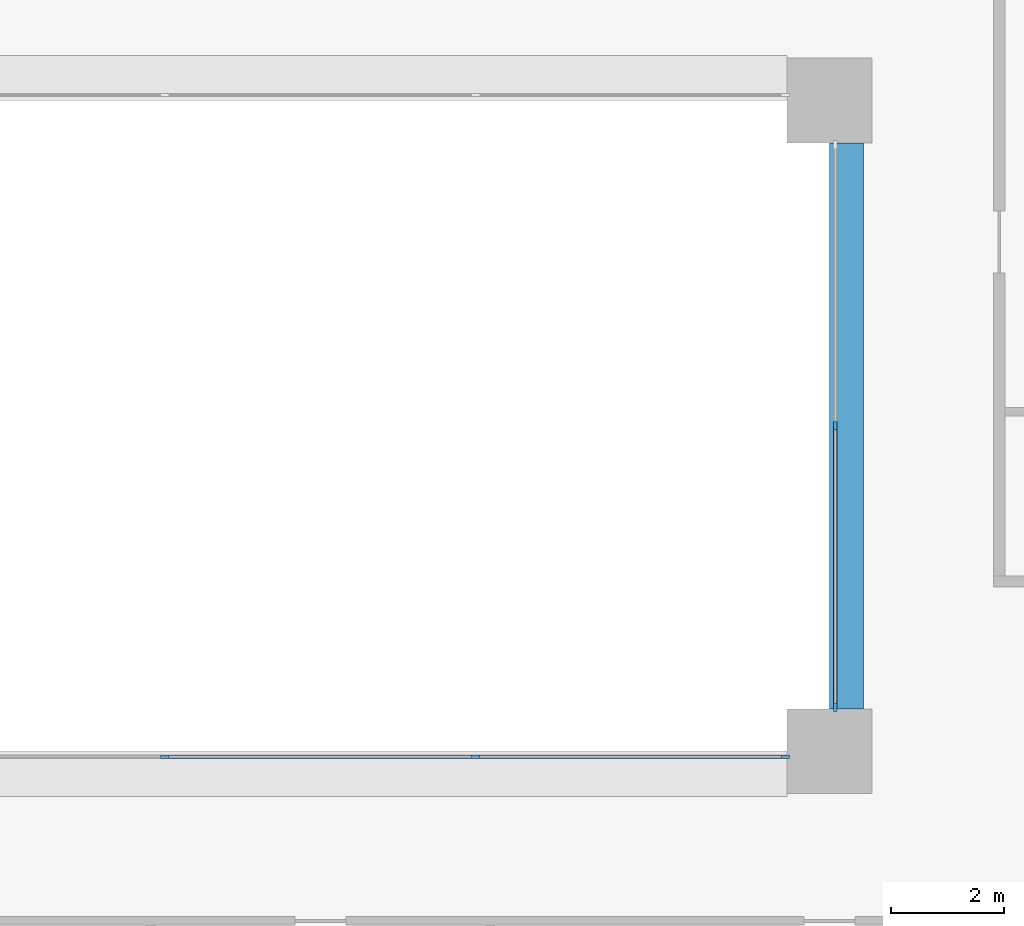
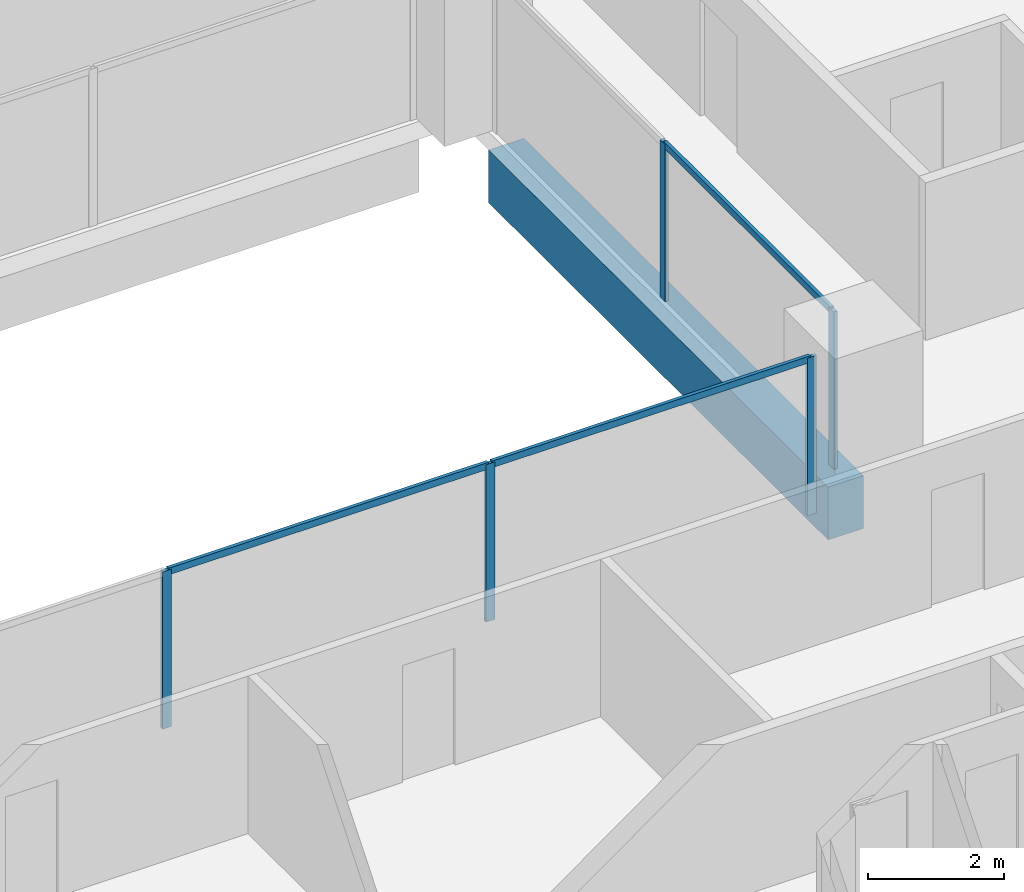
# One storey, part 4 of 20: 8 members, 1 beam, 2 elements without a shape of their own.
"""IFC4 building model written with IfcOpenShell, lengths in metres."""

from ifc_helpers import new_model, si_unit, direction, frame, origin, origin_2d, place, context, subcontext, project, spatial, rectangle, extrude, material, layer, layer_set, material_profile, profile_set, type_object, element, aggregate, save


model = new_model("IFC4")

# Units and contexts
model_context = context("Model", 3, precision=1e-05, world=origin(), true_north=direction((0.0, 1.0)))
body_context = subcontext(model_context, "Body", "Model", "MODEL_VIEW")
ifc_project = project(units=[si_unit("LENGTHUNIT", "METRE"), si_unit("AREAUNIT", "SQUARE_METRE"), si_unit("VOLUMEUNIT", "CUBIC_METRE"), si_unit("PLANEANGLEUNIT", "RADIAN"), si_unit("MASSUNIT", "GRAM", prefix="KILO")], contexts=[model_context])

# Site, building, storey
site_placement = place(None, origin())
site = spatial("IfcSite", under=ifc_project, at=site_placement, CompositionType="ELEMENT")
building_placement = place(site_placement, origin())
building = spatial("IfcBuilding", under=site, at=building_placement, Name="Brigalow Station Residences", CompositionType="ELEMENT")
storey_placement = place(building_placement, frame((0.0, 0.0, 54.14990234375)))
storey = spatial("IfcBuildingStorey", under=building, at=storey_placement, Name="L15", CompositionType="ELEMENT", Elevation=54.14990234375)

# Beam
ifc_material_1 = material(Name="Concrete C65", Category="concrete")
ifc_material_profile_1 = material_profile(ifc_material_1, rectangle(XDim=0.60009765625, YDim=0.949951171875, at=origin_2d()), Name="RC600x950")
ifc_profile_set_1 = profile_set([ifc_material_profile_1], Name="Concrete C65")
beam_type = type_object("IfcBeamType", Name="ATRIUM EDGE GIRDER 600x950 C65", PredefinedType="BEAM", material=ifc_profile_set_1)
beam_placement = place(storey_placement, frame((45.300048828125, 24.75, -0.794921875), z_axis=(0.0, 1.0, 0.0), x_axis=(-1.0, 0.0, 0.0)))
element("IfcBeam", 1, at=beam_placement, inside=storey, type_object=beam_type, Name="ATRIUM EDGE GIRDER 5 L15", PredefinedType="BEAM", context=body_context, shape_type="SweptSolid", body=[
    extrude(rectangle(XDim=0.60009765625, YDim=0.949951171875, at=origin_2d()), origin(), (0.0, 0.0, 1.0), 10.0),
])

# Curtain wall, members
ifc_material_2 = material(Name="Aluminium", Category="aluminium")
ifc_layer = layer(ifc_material_2, 0.14990234375)
ifc_layer_set = layer_set([ifc_layer], Name="ATRIUM FIRE-RATED GLAZING CURTAIN WALL")
curtain_wall_type = type_object("IfcCurtainWallType", Name="ATRIUM FIRE-RATED GLAZING CURTAIN WALL", PredefinedType="NOTDEFINED", material=ifc_layer_set)
curtain_wall_1_placement = place(storey_placement, origin())
curtain_wall_1 = element("IfcCurtainWall", 2, at=curtain_wall_1_placement, inside=storey, type_object=curtain_wall_type, Name="L15/cw/atrium-S", PredefinedType="NOTDEFINED")
ifc_material_3 = material(Name="Aluminium", Category="aluminium")
ifc_material_profile_2 = material_profile(ifc_material_3, rectangle(XDim=0.06005859375, YDim=0.14990234375, at=origin_2d()), Name="ATRIUM FIRE-RATED GLAZING MULLION 60x150")
ifc_profile_set_2 = profile_set([ifc_material_profile_2], Name="Aluminium")
member_type_1 = type_object("IfcMemberType", Name="ATRIUM FIRE-RATED GLAZING MULLION 60x150", PredefinedType="MULLION", material=ifc_profile_set_2)
member_1_placement = place(storey_placement, frame((33.25, 23.89990234375, 0.0), z_axis=(0.0, 0.0, 1.0), x_axis=(0.0, 1.0, 0.0)))
member_1 = element("IfcMember", 3, at=member_1_placement, type_object=member_type_1, Name="L15/cw/atrium-S/M01", PredefinedType="MULLION", context=body_context, shape_type="SweptSolid", body=[
    extrude(rectangle(XDim=0.06005859375, YDim=0.14990234375, at=origin_2d()), origin(), (0.0, 0.0, 1.0), 2.830078125),
])
member_2_placement = place(storey_placement, frame((38.75, 23.89990234375, 0.0), z_axis=(0.0, 0.0, 1.0), x_axis=(0.0, 1.0, 0.0)))
member_2 = element("IfcMember", 4, at=member_2_placement, type_object=member_type_1, Name="L15/cw/atrium-S/M02", PredefinedType="MULLION", context=body_context, shape_type="SweptSolid", body=[
    extrude(rectangle(XDim=0.06005859375, YDim=0.14990234375, at=origin_2d()), origin(), (0.0, 0.0, 1.0), 2.830078125),
])
member_3_placement = place(storey_placement, frame((44.219970703125, 23.89990234375, 0.0), z_axis=(0.0, 0.0, 1.0), x_axis=(0.0, 1.0, 0.0)))
member_3 = element("IfcMember", 5, at=member_3_placement, type_object=member_type_1, Name="L15/cw/atrium-S/M03", PredefinedType="MULLION", context=body_context, shape_type="SweptSolid", body=[
    extrude(rectangle(XDim=0.06005859375, YDim=0.14990234375, at=origin_2d()), origin(), (0.0, 0.0, 1.0), 2.830078125),
])

curtain_wall_2_placement = place(storey_placement, origin())
curtain_wall_2 = element("IfcCurtainWall", 6, at=curtain_wall_2_placement, inside=storey, type_object=curtain_wall_type, Name="L15/cw/atrium-E", PredefinedType="NOTDEFINED")
member_4_placement = place(storey_placement, frame((45.10009765625, 24.780029296875, 0.0), z_axis=(0.0, 0.0, 1.0), x_axis=(-1.0, 0.0, 0.0)))
member_4 = element("IfcMember", 7, at=member_4_placement, type_object=member_type_1, Name="L15/cw/atrium-E/M00", PredefinedType="MULLION", context=body_context, shape_type="SweptSolid", body=[
    extrude(rectangle(XDim=0.06005859375, YDim=0.14990234375, at=origin_2d()), origin(), (0.0, 0.0, 1.0), 2.830078125),
])
member_5_placement = place(storey_placement, frame((45.10009765625, 29.75, 0.0), z_axis=(0.0, 0.0, 1.0), x_axis=(-1.0, 0.0, 0.0)))
member_5 = element("IfcMember", 8, at=member_5_placement, type_object=member_type_1, Name="L15/cw/atrium-E/M01", PredefinedType="MULLION", context=body_context, shape_type="SweptSolid", body=[
    extrude(rectangle(XDim=0.06005859375, YDim=0.14990234375, at=origin_2d()), origin(), (0.0, 0.0, 1.0), 2.830078125),
])

# Member
ifc_material_4 = material(Name="Aluminium", Category="aluminium")
ifc_material_profile_3 = material_profile(ifc_material_4, rectangle(XDim=0.06005859375, YDim=0.1201171875, at=origin_2d()), Name="ATRIUM FIRE-RATED GLAZING TRANSOM 60x120")
ifc_profile_set_3 = profile_set([ifc_material_profile_3], Name="Aluminium")
member_type_2 = type_object("IfcMemberType", Name="ATRIUM FIRE-RATED GLAZING TRANSOM 60x120", PredefinedType="USERDEFINED", material=ifc_profile_set_3)
member_6_placement = place(storey_placement, frame((33.280029296875, 23.89990234375, 2.800048828125), z_axis=(1.0, 0.0, 0.0), x_axis=(0.0, 1.0, 0.0)))
member_6 = element("IfcMember", 9, at=member_6_placement, type_object=member_type_2, Name="L15/cw/atrium-S/T01-00", ObjectType="TRANSOM", PredefinedType="USERDEFINED", context=body_context, shape_type="SweptSolid", body=[
    extrude(rectangle(XDim=0.06005859375, YDim=0.1201171875, at=origin_2d()), origin(), (0.0, 0.0, 1.0), 5.43994140625),
])

member_7_placement = place(storey_placement, frame((38.780029296875, 23.89990234375, 2.800048828125), z_axis=(1.0, 0.0, 0.0), x_axis=(0.0, 1.0, 0.0)))
member_7 = element("IfcMember", 10, at=member_7_placement, type_object=member_type_2, Name="L15/cw/atrium-S/T02-00", ObjectType="TRANSOM", PredefinedType="USERDEFINED", context=body_context, shape_type="SweptSolid", body=[
    extrude(rectangle(XDim=0.06005859375, YDim=0.1201171875, at=origin_2d()), origin(), (0.0, 0.0, 1.0), 5.409912109375),
])

aggregate(curtain_wall_1, [member_1, member_2, member_3, member_6, member_7])

member_8_placement = place(storey_placement, frame((45.10009765625, 24.81005859375, 2.800048828125), z_axis=(0.0, 1.0, 0.0), x_axis=(-1.0, 0.0, 0.0)))
member_8 = element("IfcMember", 11, at=member_8_placement, type_object=member_type_2, Name="L15/cw/atrium-E/T00-00", ObjectType="TRANSOM", PredefinedType="USERDEFINED", context=body_context, shape_type="SweptSolid", body=[
    extrude(rectangle(XDim=0.06005859375, YDim=0.1201171875, at=origin_2d()), origin(), (0.0, 0.0, 1.0), 4.909912109375),
])

aggregate(curtain_wall_2, [member_4, member_5, member_8])

save(model, "model.ifc")
